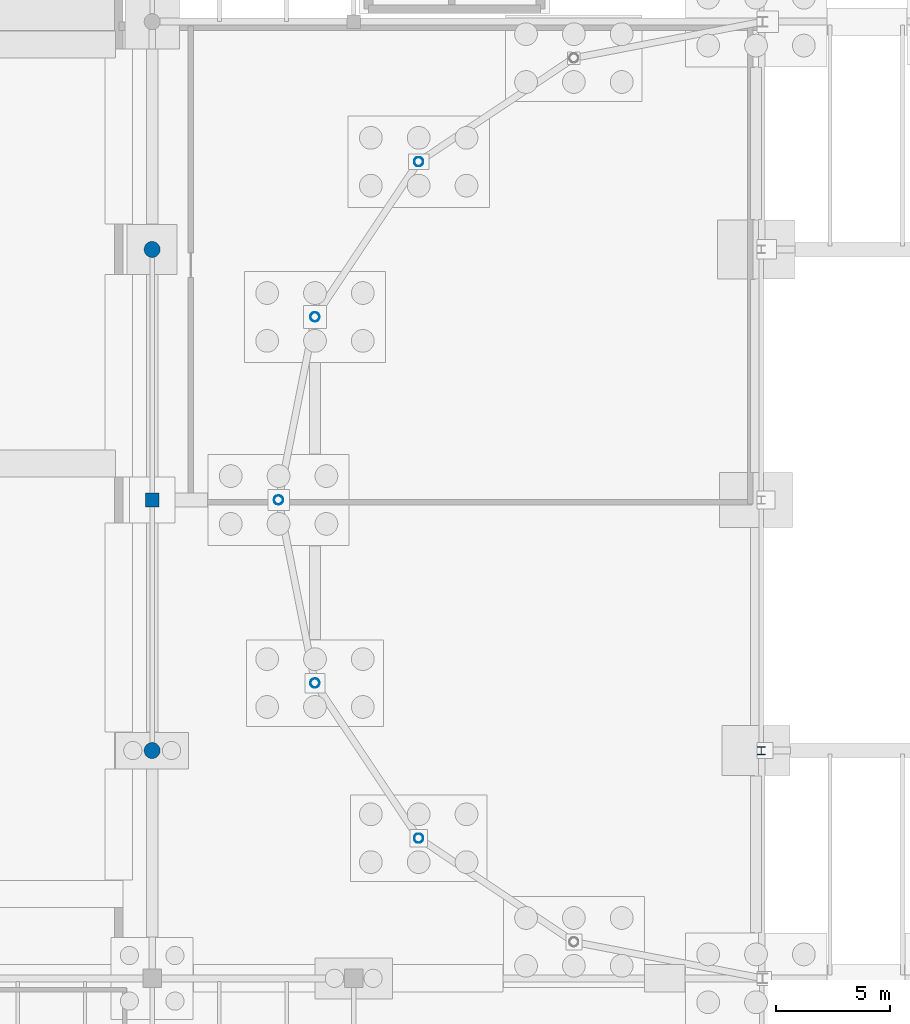
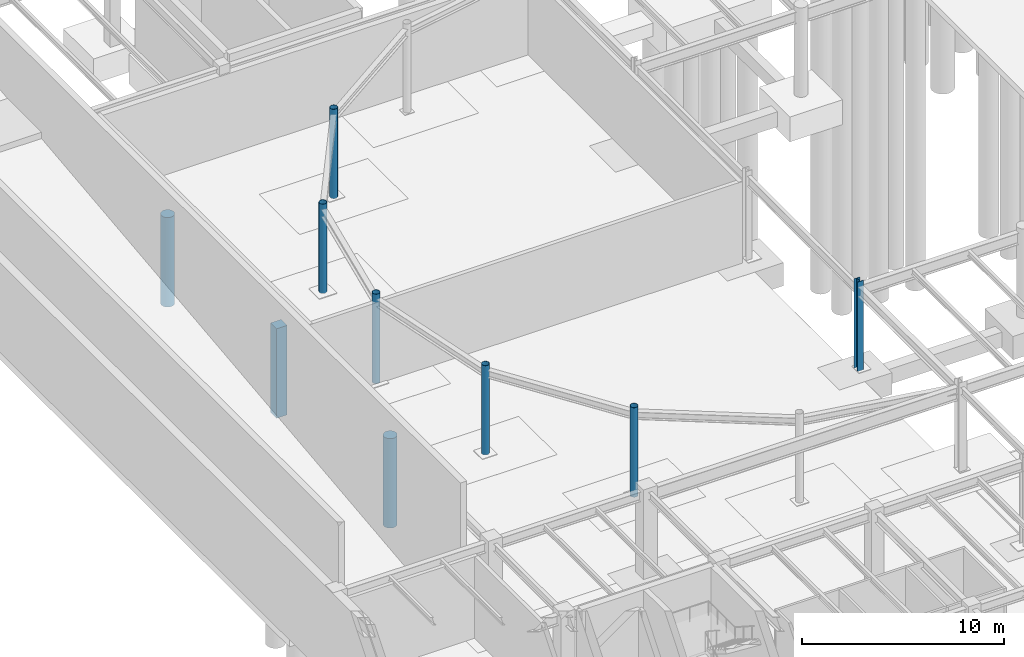
# One storey, part 17 of 50: 9 columns.
"""IFC4 building model written with IfcOpenShell, lengths in metres."""

from ifc_helpers import new_model, si_unit, direction, frame, origin, origin_2d, place, context, subcontext, project, spatial, rectangle, circle, hollow_circle, i_section, extrude, material, material_profile, profile_set, type_object, element, save


model = new_model("IFC4")

# Units and contexts
model_context = context("Model", 3, precision=1e-05, world=origin(), true_north=direction((0.0, 1.0)))
body_context = subcontext(model_context, "Body", "Model", "MODEL_VIEW")
ifc_project = project(units=[si_unit("LENGTHUNIT", "METRE"), si_unit("AREAUNIT", "SQUARE_METRE"), si_unit("VOLUMEUNIT", "CUBIC_METRE"), si_unit("PLANEANGLEUNIT", "RADIAN"), si_unit("MASSUNIT", "GRAM", prefix="KILO")], contexts=[model_context])

# Site, building, storey
site_placement = place(None, origin())
site = spatial("IfcSite", under=ifc_project, at=site_placement, CompositionType="ELEMENT")
building_placement = place(site_placement, origin())
building = spatial("IfcBuilding", under=site, at=building_placement, Name="Yeouljin Market Hall", CompositionType="ELEMENT")
storey_placement = place(building_placement, frame((0.0, 0.0, -5.39990234375)))
storey = spatial("IfcBuildingStorey", under=building, at=storey_placement, Name="B1", CompositionType="ELEMENT", Elevation=-5.39990234375)

# Columns
ifc_material_1 = material(Name="Steel SM355", Category="steel")
ifc_material_profile_1 = material_profile(ifc_material_1, hollow_circle(Radius=0.203125, WallThickness=0.011962890625, at=origin_2d()), Name="CHS-406.4x12")
ifc_profile_set_1 = profile_set([ifc_material_profile_1], Name="Steel SM355")
column_type_1 = type_object("IfcColumnType", Name="Col_CHS-406.4x12", PredefinedType="COLUMN", material=ifc_profile_set_1)
for number, where, z_axis, x_axis, name in (
    (1, (20.55078125, 42.15087890625, 0.0), (0.0, 0.0, 1.0), (1.0, 0.0, 0.0), "Column AP-W04 (B1)"),
    (2, (15.99853515625, 48.963623046875, 0.0), (0.0, 0.0, 1.0), (1.0, 0.0, 0.0), "Column AP-W06 (B1)"),
    (3, (14.39990234375, 57.0, 0.0), (0.0, 0.0, 1.0), (1.0, 0.0, 0.0), "Column AP-W08 (B1)"),
    (4, (15.99853515625, 65.036376953125, 0.0), (0.0, 0.0, 1.0), (1.0, 0.0, 0.0), "Column AP-W10 (B1)"),
    (5, (20.55078125, 71.84912109375, 0.0), (0.0, 0.0, 1.0), (1.0, 0.0, 0.0), "Column AP-W12 (B1)"),
):
    element("IfcColumn", number, at=place(storey_placement, frame(where, z_axis=z_axis, x_axis=x_axis)), inside=storey, type_object=column_type_1, Name=name, PredefinedType="COLUMN", context=body_context, shape_type="SweptSolid", body=[
        extrude(hollow_circle(Radius=0.203125, WallThickness=0.011962890625, at=origin_2d()), origin(), (0.0, 0.0, 1.0), 5.39990234375),
    ])
ifc_material_2 = material(Name="Steel SM355", Category="steel")
ifc_material_profile_2 = material_profile(ifc_material_2, i_section(OverallWidth=0.35009765625, OverallDepth=0.35009765625, WebThickness=0.011962890625, FlangeThickness=0.01904296875, FilletRadius=0.02001953125, at=origin_2d()), Name="H-350x350x12x19")
ifc_profile_set_2 = profile_set([ifc_material_profile_2], Name="Steel SM355")
column_type_2 = type_object("IfcColumnType", Name="Col_H-350x350x12x19", PredefinedType="COLUMN", material=ifc_profile_set_2)
column_1_placement = place(storey_placement, frame((35.590087890625, 46.0, 0.0), z_axis=(0.0, 0.0, 1.0), x_axis=(1.0, 0.0, 0.0)))
element("IfcColumn", 6, at=column_1_placement, inside=storey, type_object=column_type_2, Name="Column G-05-05 (B1)", PredefinedType="COLUMN", context=body_context, shape_type="SweptSolid", body=[
    extrude(i_section(OverallWidth=0.35009765625, OverallDepth=0.35009765625, WebThickness=0.011962890625, FlangeThickness=0.01904296875, FilletRadius=0.02001953125, at=origin_2d()), origin(), (0.0, 0.0, 1.0), 5.39990234375),
])
ifc_material_3 = material(Name="Concrete C35/45", Category="concrete")
ifc_material_profile_3 = material_profile(ifc_material_3, rectangle(XDim=0.60009765625, YDim=0.60009765625, at=origin_2d()), Name="RC-600x600")
ifc_profile_set_3 = profile_set([ifc_material_profile_3], Name="Concrete C35/45")
column_type_3 = type_object("IfcColumnType", Name="Col_RC-600x600", PredefinedType="COLUMN", material=ifc_profile_set_3)
column_2_placement = place(storey_placement, frame((8.85009765625, 57.0, 0.0), z_axis=(0.0, 0.0, 1.0), x_axis=(1.0, 0.0, 0.0)))
element("IfcColumn", 7, at=column_2_placement, inside=storey, type_object=column_type_3, Name="Column G-01-06 (B1)", PredefinedType="COLUMN", context=body_context, shape_type="SweptSolid", body=[
    extrude(rectangle(XDim=0.60009765625, YDim=0.60009765625, at=origin_2d()), origin(), (0.0, 0.0, 1.0), 5.39990234375),
])
ifc_material_4 = material(Name="Concrete C35/45", Category="concrete")
ifc_material_profile_4 = material_profile(ifc_material_4, circle(Radius=0.35009765625, at=origin_2d()), Name="RC-D700")
ifc_profile_set_4 = profile_set([ifc_material_profile_4], Name="Concrete C35/45")
column_type_4 = type_object("IfcColumnType", Name="Col_RC-D700", PredefinedType="COLUMN", material=ifc_profile_set_4)
for number, where, z_axis, x_axis, name in (
    (8, (8.85009765625, 46.0, 0.0), (0.0, 0.0, 1.0), (1.0, 0.0, 0.0), "Column G-01-05 (B1)"),
    (9, (8.85009765625, 68.0, 0.0), (0.0, 0.0, 1.0), (1.0, 0.0, 0.0), "Column G-01-07 (B1)"),
):
    element("IfcColumn", number, at=place(storey_placement, frame(where, z_axis=z_axis, x_axis=x_axis)), inside=storey, type_object=column_type_4, Name=name, PredefinedType="COLUMN", context=body_context, shape_type="SweptSolid", body=[
        extrude(circle(Radius=0.35009765625, at=origin_2d()), origin(), (0.0, 0.0, 1.0), 5.39990234375),
    ])

save(model, "model.ifc")
